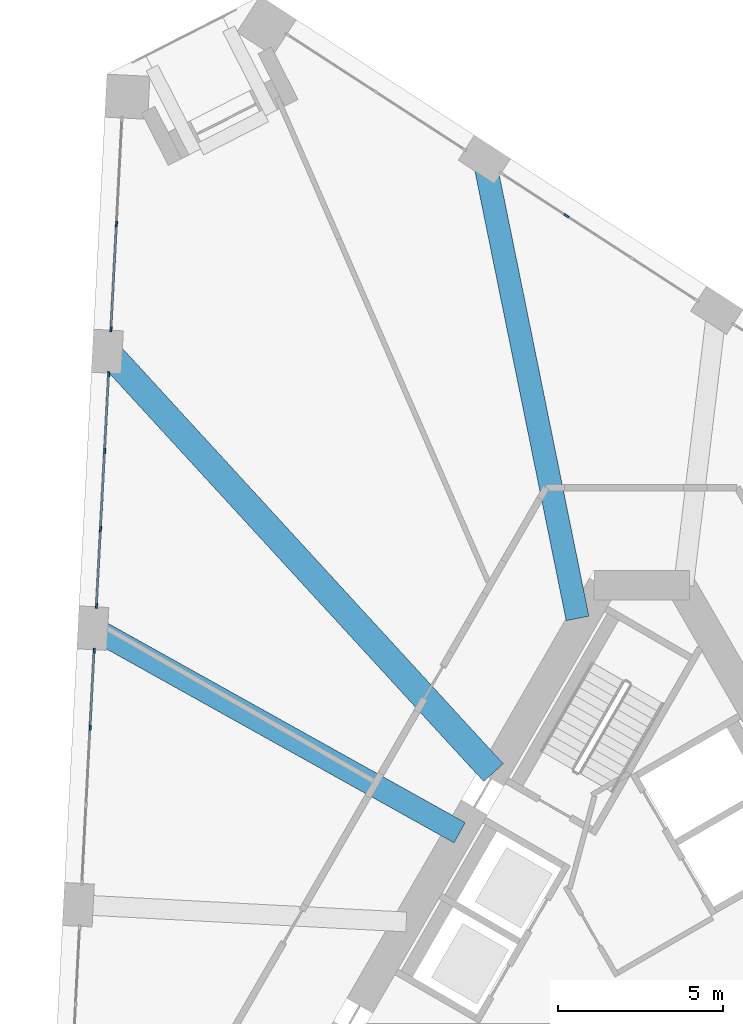
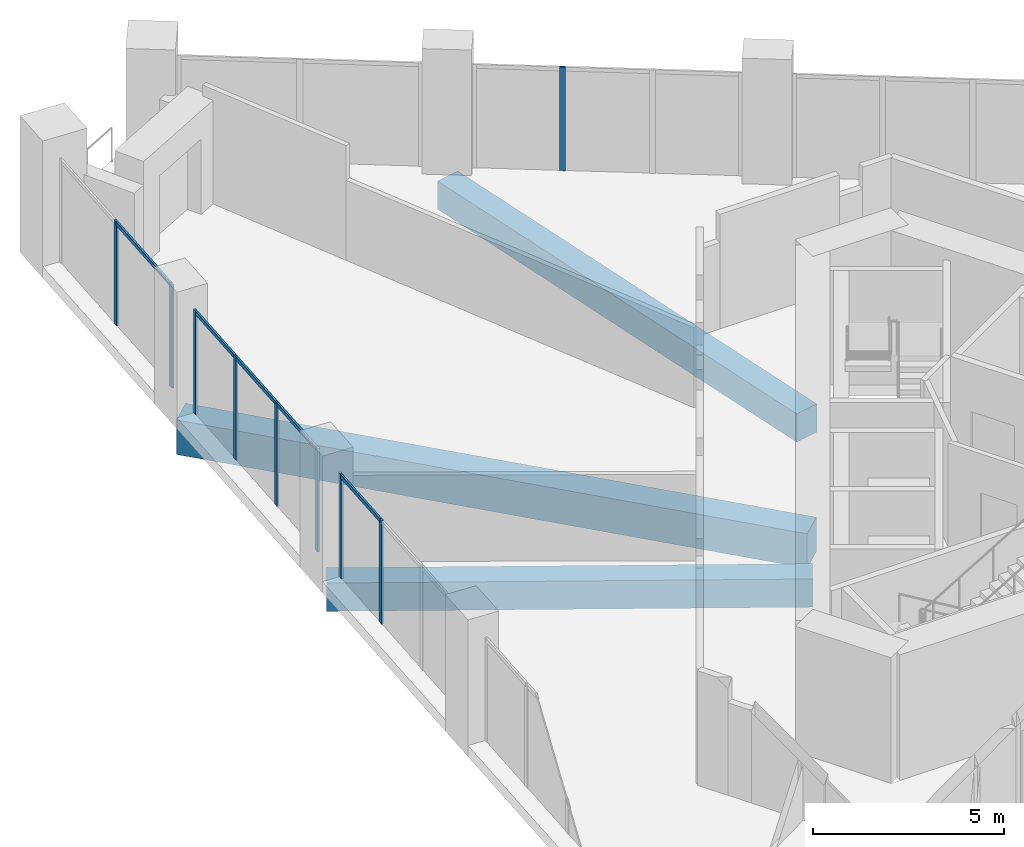
# One storey, part 6 of 18: 14 members, 3 beams, 4 elements without a shape of their own.
"""IFC4 building model written with IfcOpenShell, lengths in metres."""

from ifc_helpers import new_model, si_unit, direction, frame, origin, origin_2d, place, context, subcontext, project, spatial, rectangle, extrude, material, layer, layer_set, material_profile, profile_set, type_object, element, aggregate, save


model = new_model("IFC4")

# Units and contexts
model_context = context("Model", 3, precision=1e-05, world=origin(), true_north=direction((0.0, 1.0)))
body_context = subcontext(model_context, "Body", "Model", "MODEL_VIEW")
ifc_project = project(units=[si_unit("LENGTHUNIT", "METRE"), si_unit("AREAUNIT", "SQUARE_METRE"), si_unit("VOLUMEUNIT", "CUBIC_METRE"), si_unit("PLANEANGLEUNIT", "RADIAN"), si_unit("MASSUNIT", "GRAM", prefix="KILO")], contexts=[model_context])

# Site, building, storey
site_placement = place(None, origin())
site = spatial("IfcSite", under=ifc_project, at=site_placement, CompositionType="ELEMENT")
building_placement = place(site_placement, origin())
building = spatial("IfcBuilding", under=site, at=building_placement, Name="Tramontana Tower", CompositionType="ELEMENT")
storey_placement = place(building_placement, frame((0.0, 0.0, 125.60009765625)))
storey = spatial("IfcBuildingStorey", under=building, at=storey_placement, Name="L28", CompositionType="ELEMENT", Elevation=125.60009765625)

# Curtain wall, members
ifc_material_1 = material(Name="Aluminum extrusion", Category="aluminium")
ifc_layer = layer(ifc_material_1, 0.14990234375)
ifc_layer_set = layer_set([ifc_layer], Name="CW3 Sky lobby 1 curtain wall")
curtain_wall_type = type_object("IfcCurtainWallType", Name="CW3 Sky lobby 1 curtain wall", PredefinedType="NOTDEFINED", material=ifc_layer_set)
curtain_wall_1_placement = place(storey_placement, origin())
curtain_wall_1 = element("IfcCurtainWall", 1, at=curtain_wall_1_placement, inside=storey, type_object=curtain_wall_type, Name="CW3 curtain wall L28 face 0 bay 1", PredefinedType="NOTDEFINED")
ifc_material_2 = material(Name="Aluminum extrusion", Category="aluminium")
ifc_material_profile_1 = material_profile(ifc_material_2, rectangle(XDim=0.06005859375, YDim=0.159912109375, at=origin_2d()), Name="CW3-M Mullion 60 x 160")
ifc_profile_set_1 = profile_set([ifc_material_profile_1], Name="Aluminum extrusion")
member_type_1 = type_object("IfcMemberType", Name="CW3-M Mullion 60 x 160", PredefinedType="MULLION", material=ifc_profile_set_1)
member_1_placement = place(storey_placement, frame((-15.873291015625, 21.464111328125, 0.0), z_axis=(0.0, 0.0, 1.0), x_axis=(0.998629534755, -0.052335956243, 0.0)))
member_1 = element("IfcMember", 2, at=member_1_placement, type_object=member_type_1, Name="CW3 curtain wall L28 face 0 bay 1 mullion 2", PredefinedType="MULLION", context=body_context, shape_type="SweptSolid", body=[
    extrude(rectangle(XDim=0.06005859375, YDim=0.159912109375, at=origin_2d()), origin(), (0.0, 0.0, 1.0), 3.2998046875),
])
member_2_placement = place(storey_placement, frame((-16.039794921875, 18.28759765625, 0.0), z_axis=(0.0, 0.0, 1.0), x_axis=(0.998629534755, -0.052335956243, 0.0)))
member_2 = element("IfcMember", 3, at=member_2_placement, type_object=member_type_1, Name="CW3 curtain wall L28 face 0 bay 1 mullion 3", PredefinedType="MULLION", context=body_context, shape_type="SweptSolid", body=[
    extrude(rectangle(XDim=0.06005859375, YDim=0.159912109375, at=origin_2d()), origin(), (0.0, 0.0, 1.0), 3.2998046875),
])

curtain_wall_2_placement = place(storey_placement, origin())
curtain_wall_2 = element("IfcCurtainWall", 4, at=curtain_wall_2_placement, inside=storey, type_object=curtain_wall_type, Name="CW3 curtain wall L28 face 0 bay 2", PredefinedType="NOTDEFINED")
member_3_placement = place(storey_placement, frame((-16.111083984375, 16.929443359375, 0.0), z_axis=(0.0, 0.0, 1.0), x_axis=(0.998629534755, -0.052335956243, 0.0)))
member_3 = element("IfcMember", 5, at=member_3_placement, type_object=member_type_1, Name="CW3 curtain wall L28 face 0 bay 2 mullion 1", PredefinedType="MULLION", context=body_context, shape_type="SweptSolid", body=[
    extrude(rectangle(XDim=0.06005859375, YDim=0.159912109375, at=origin_2d()), origin(), (0.0, 0.0, 1.0), 3.2998046875),
])
member_4_placement = place(storey_placement, frame((-16.23291015625, 14.60546875, 0.0), z_axis=(0.0, 0.0, 1.0), x_axis=(0.998629534755, -0.052335956243, 0.0)))
member_4 = element("IfcMember", 6, at=member_4_placement, type_object=member_type_1, Name="CW3 curtain wall L28 face 0 bay 2 mullion 2", PredefinedType="MULLION", context=body_context, shape_type="SweptSolid", body=[
    extrude(rectangle(XDim=0.06005859375, YDim=0.159912109375, at=origin_2d()), origin(), (0.0, 0.0, 1.0), 3.2998046875),
])
member_5_placement = place(storey_placement, frame((-16.356201171875, 12.25146484375, 0.0), z_axis=(0.0, 0.0, 1.0), x_axis=(0.998629534755, -0.052335956243, 0.0)))
member_5 = element("IfcMember", 7, at=member_5_placement, type_object=member_type_1, Name="CW3 curtain wall L28 face 0 bay 2 mullion 3", PredefinedType="MULLION", context=body_context, shape_type="SweptSolid", body=[
    extrude(rectangle(XDim=0.06005859375, YDim=0.159912109375, at=origin_2d()), origin(), (0.0, 0.0, 1.0), 3.2998046875),
])
member_6_placement = place(storey_placement, frame((-16.47802734375, 9.927490234375, 0.0), z_axis=(0.0, 0.0, 1.0), x_axis=(0.998629534755, -0.052335956243, 0.0)))
member_6 = element("IfcMember", 8, at=member_6_placement, type_object=member_type_1, Name="CW3 curtain wall L28 face 0 bay 2 mullion 4", PredefinedType="MULLION", context=body_context, shape_type="SweptSolid", body=[
    extrude(rectangle(XDim=0.06005859375, YDim=0.159912109375, at=origin_2d()), origin(), (0.0, 0.0, 1.0), 3.2998046875),
])

curtain_wall_3_placement = place(storey_placement, origin())
curtain_wall_3 = element("IfcCurtainWall", 9, at=curtain_wall_3_placement, inside=storey, type_object=curtain_wall_type, Name="CW3 curtain wall L28 face 0 bay 3", PredefinedType="NOTDEFINED")
member_7_placement = place(storey_placement, frame((-16.549072265625, 8.5693359375, 0.0), z_axis=(0.0, 0.0, 1.0), x_axis=(0.998629534755, -0.052335956243, 0.0)))
member_7 = element("IfcMember", 10, at=member_7_placement, type_object=member_type_1, Name="CW3 curtain wall L28 face 0 bay 3 mullion 1", PredefinedType="MULLION", context=body_context, shape_type="SweptSolid", body=[
    extrude(rectangle(XDim=0.06005859375, YDim=0.159912109375, at=origin_2d()), origin(), (0.0, 0.0, 1.0), 3.2998046875),
])
member_8_placement = place(storey_placement, frame((-16.6708984375, 6.245361328125, 0.0), z_axis=(0.0, 0.0, 1.0), x_axis=(0.998629534755, -0.052335956243, 0.0)))
member_8 = element("IfcMember", 11, at=member_8_placement, type_object=member_type_1, Name="CW3 curtain wall L28 face 0 bay 3 mullion 2", PredefinedType="MULLION", context=body_context, shape_type="SweptSolid", body=[
    extrude(rectangle(XDim=0.06005859375, YDim=0.159912109375, at=origin_2d()), origin(), (0.0, 0.0, 1.0), 3.2998046875),
])

# Curtain wall, member
curtain_wall_4_placement = place(storey_placement, origin())
curtain_wall_4 = element("IfcCurtainWall", 12, at=curtain_wall_4_placement, inside=storey, type_object=curtain_wall_type, Name="CW3 curtain wall L28 face 2 bay 5", PredefinedType="NOTDEFINED")
member_9_placement = place(storey_placement, frame((-2.274658203125, 21.717529296875, 0.0), z_axis=(0.0, 0.0, 1.0), x_axis=(-0.544639035015, -0.838670567945, 0.0)))
member_9 = element("IfcMember", 13, at=member_9_placement, type_object=member_type_1, Name="CW3 curtain wall L28 face 2 bay 5 mullion 3", PredefinedType="MULLION", context=body_context, shape_type="SweptSolid", body=[
    extrude(rectangle(XDim=0.06005859375, YDim=0.159912109375, at=origin_2d()), origin(), (0.0, 0.0, 1.0), 3.2998046875),
])
aggregate(curtain_wall_4, [member_9])

# Member
ifc_material_3 = material(Name="Aluminum extrusion", Category="aluminium")
ifc_material_profile_2 = material_profile(ifc_material_3, rectangle(XDim=0.06005859375, YDim=0.1201171875, at=origin_2d()), Name="CW3-T Transom 60 x 120")
ifc_profile_set_2 = profile_set([ifc_material_profile_2], Name="Aluminum extrusion")
member_type_2 = type_object("IfcMemberType", Name="CW3-T Transom 60 x 120", PredefinedType="USERDEFINED", material=ifc_profile_set_2)
member_10_placement = place(storey_placement, frame((-15.875, 21.43408203125, 3.239990234375), z_axis=(-0.052337102902, -0.99862947466, 0.0), x_axis=(0.99862947466, -0.052337102902, 0.0)))
member_10 = element("IfcMember", 14, at=member_10_placement, type_object=member_type_2, Name="CW3 curtain wall L28 face 0 bay 1 transom 2.1", ObjectType="TRANSOM", PredefinedType="USERDEFINED", context=body_context, shape_type="SweptSolid", body=[
    extrude(rectangle(XDim=0.06005859375, YDim=0.1201171875, at=origin_2d()), origin(), (0.0, 0.0, 1.0), 3.120849609375),
])

aggregate(curtain_wall_1, [member_1, member_2, member_10])

member_11_placement = place(storey_placement, frame((-16.112548828125, 16.899658203125, 3.239990234375), z_axis=(-0.052332762049, -0.99862970215, 0.0), x_axis=(0.99862970215, -0.052332762049, 0.0)))
member_11 = element("IfcMember", 15, at=member_11_placement, type_object=member_type_2, Name="CW3 curtain wall L28 face 0 bay 2 transom 1.1", ObjectType="TRANSOM", PredefinedType="USERDEFINED", context=body_context, shape_type="SweptSolid", body=[
    extrude(rectangle(XDim=0.06005859375, YDim=0.1201171875, at=origin_2d()), origin(), (0.0, 0.0, 1.0), 2.267333984375),
])

member_12_placement = place(storey_placement, frame((-16.234375, 14.57568359375, 3.239990234375), z_axis=(-0.052391499924, -0.998626622285, 0.0), x_axis=(0.998626622285, -0.052391499924, 0.0)))
member_12 = element("IfcMember", 16, at=member_12_placement, type_object=member_type_2, Name="CW3 curtain wall L28 face 0 bay 2 transom 2.1", ObjectType="TRANSOM", PredefinedType="USERDEFINED", context=body_context, shape_type="SweptSolid", body=[
    extrude(rectangle(XDim=0.06005859375, YDim=0.1201171875, at=origin_2d()), origin(), (0.0, 0.0, 1.0), 2.29736328125),
])

member_13_placement = place(storey_placement, frame((-16.357666015625, 12.2216796875, 3.239990234375), z_axis=(-0.052440146815, -0.998624068908, 0.0), x_axis=(0.998624068908, -0.052440146815, 0.0)))
member_13 = element("IfcMember", 17, at=member_13_placement, type_object=member_type_2, Name="CW3 curtain wall L28 face 0 bay 2 transom 3.1", ObjectType="TRANSOM", PredefinedType="USERDEFINED", context=body_context, shape_type="SweptSolid", body=[
    extrude(rectangle(XDim=0.06005859375, YDim=0.1201171875, at=origin_2d()), origin(), (0.0, 0.0, 1.0), 2.267333984375),
])

aggregate(curtain_wall_2, [member_3, member_4, member_5, member_6, member_11, member_12, member_13])

member_14_placement = place(storey_placement, frame((-16.55078125, 8.53955078125, 3.239990234375), z_axis=(-0.052332762049, -0.99862970215, 0.0), x_axis=(0.99862970215, -0.052332762049, 0.0)))
member_14 = element("IfcMember", 18, at=member_14_placement, type_object=member_type_2, Name="CW3 curtain wall L28 face 0 bay 3 transom 1.1", ObjectType="TRANSOM", PredefinedType="USERDEFINED", context=body_context, shape_type="SweptSolid", body=[
    extrude(rectangle(XDim=0.06005859375, YDim=0.1201171875, at=origin_2d()), origin(), (0.0, 0.0, 1.0), 2.267333984375),
])

aggregate(curtain_wall_3, [member_7, member_8, member_14])

# Beams
ifc_material_4 = material(Name="Concrete 40 MPa", Category="concrete")
ifc_material_profile_3 = material_profile(ifc_material_4, rectangle(XDim=0.699951171875, YDim=0.89990234375, at=origin_2d()), Name="RC GIRDER 700X900 40 MPa")
ifc_profile_set_3 = profile_set([ifc_material_profile_3], Name="Concrete 40 MPa")
beam_type_1 = type_object("IfcBeamType", Name="RC GIRDER 700X900 40 MPa", PredefinedType="BEAM", material=ifc_profile_set_3)
beam_1_placement = place(storey_placement, frame((-16.58837890625, 9.25244140625, -0.800048828125), z_axis=(0.873332247198, -0.487125020917, 0.0), x_axis=(0.487125020917, 0.873332247198, 0.0)))
element("IfcBeam", 19, at=beam_1_placement, inside=storey, type_object=beam_type_1, Name="Radial girder C3F02 L28", PredefinedType="BEAM", context=body_context, shape_type="SweptSolid", body=[
    extrude(rectangle(XDim=0.699951171875, YDim=0.89990234375, at=origin_2d()), origin(), (0.0, 0.0, 1.0), 12.693603515625),
])
beam_2_placement = place(storey_placement, frame((-4.755859375, 23.418212890625, -0.800048828125), z_axis=(0.199014115168, -0.979996623445, 0.0), x_axis=(0.979996623445, 0.199014115168, 0.0)))
element("IfcBeam", 20, at=beam_2_placement, inside=storey, type_object=beam_type_1, Name="Radial girder C3F15 L28", PredefinedType="BEAM", context=body_context, shape_type="SweptSolid", body=[
    extrude(rectangle(XDim=0.699951171875, YDim=0.89990234375, at=origin_2d()), origin(), (0.0, 0.0, 1.0), 14.155517578125),
])
ifc_material_5 = material(Name="Concrete 40 MPa", Category="concrete")
ifc_material_profile_4 = material_profile(ifc_material_5, rectangle(XDim=0.800048828125, YDim=1.10009765625, at=origin_2d()), Name="RC GIRDER 800X1100 40 MPa")
ifc_profile_set_4 = profile_set([ifc_material_profile_4], Name="Concrete 40 MPa")
beam_type_2 = type_object("IfcBeamType", Name="RC GIRDER 800X1100 40 MPa", PredefinedType="BEAM", material=ifc_profile_set_4)
beam_3_placement = place(storey_placement, frame((-16.150390625, 17.612548828125, -0.900146484375), z_axis=(0.675852012308, -0.737037351469, 0.0), x_axis=(0.737037351469, 0.675852012308, 0.0)))
element("IfcBeam", 21, at=beam_3_placement, inside=storey, type_object=beam_type_2, Name="Radial girder C3F01 L28", PredefinedType="BEAM", context=body_context, shape_type="SweptSolid", body=[
    extrude(rectangle(XDim=0.800048828125, YDim=1.10009765625, at=origin_2d()), origin(), (0.0, 0.0, 1.0), 17.26953125),
])

save(model, "model.ifc")
